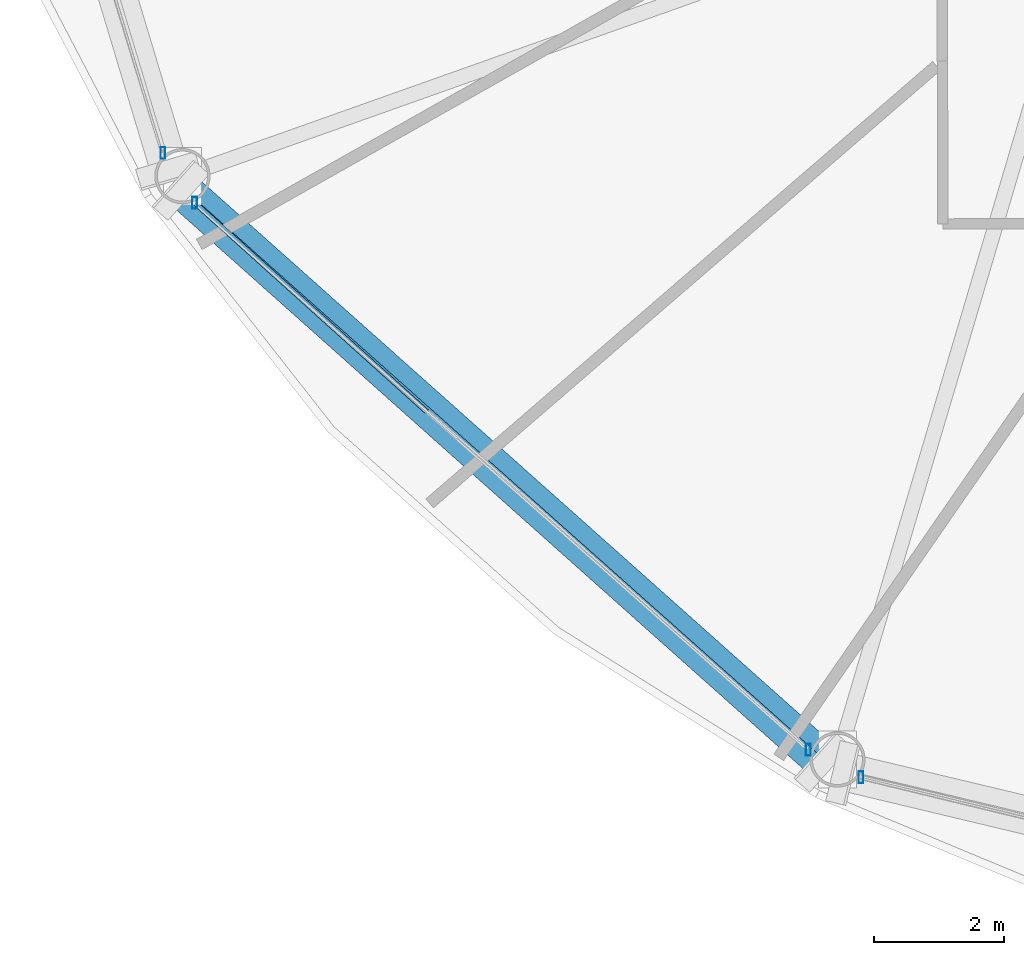
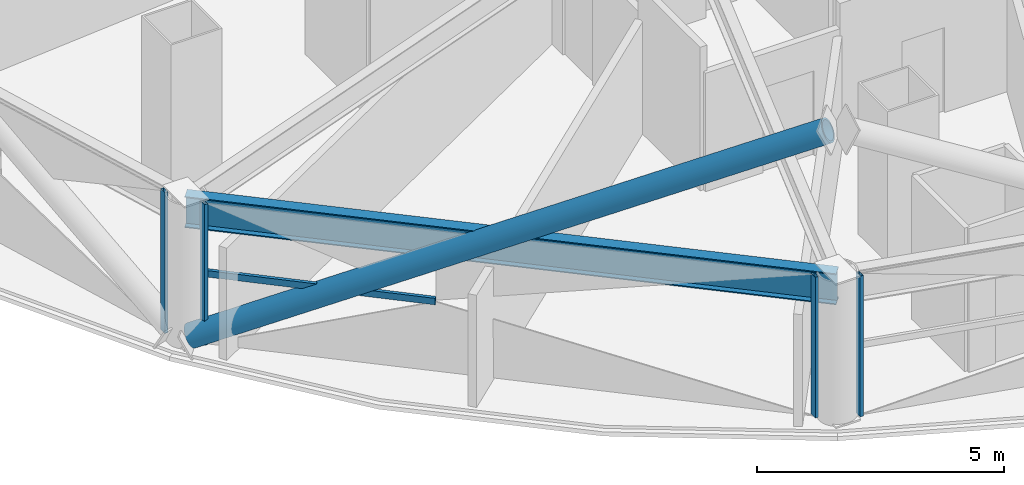
# One storey, part 2 of 30: 6 members, 1 beam, 3 elements without a shape of their own.
"""IFC4 building model written with IfcOpenShell, lengths in metres."""

import ifcopenshell
import ifcopenshell.guid

model = None  # the IFC model being written
_history = None  # IfcOwnerHistory: only IFC2X3 demands one
_inside = {}  # id of a spatial element -> (the spatial element, [elements in it])
_under = {}  # id of a project, library or spatial element -> (it, [spatial elements below it])
_declared = {}  # id of a project -> (the project, [libraries it declares])
_typed = {}  # id of a type object -> (the type object, [elements of that type])
_made_of = {}  # id of a material, layer set ... -> (it, [elements and type objects made of it])


def new_model(schema):
    """Start an empty IFC model of exactly this schema.

    Asked for "IFC4X3", IfcOpenShell would pick the latest addendum, in which some entities
    have other attributes; the version numbers below select the first issue.
    IFC2X3 requires an IfcOwnerHistory on every rooted entity: one is made here for all.
    """
    global model, _history
    if schema == "IFC4X3":
        model = ifcopenshell.file(schema_version=(4, 3, 0, 0))
    else:
        model = ifcopenshell.file(schema=schema)
    _inside.clear()
    _under.clear()
    _declared.clear()
    _typed.clear()
    _made_of.clear()
    _history = None
    if model.schema == "IFC2X3":
        org = make("IfcOrganization", Name="unknown")
        user = make(
            "IfcPersonAndOrganization",
            ThePerson=make("IfcPerson", FamilyName="unknown"),
            TheOrganization=org,
        )
        app = make(
            "IfcApplication",
            ApplicationDeveloper=org,
            Version="unknown",
            ApplicationFullName="unknown",
            ApplicationIdentifier="unknown",
        )
        _history = make(
            "IfcOwnerHistory",
            OwningUser=user,
            OwningApplication=app,
            ChangeAction="ADDED",
            CreationDate=0,
        )
    return model


def make(cls, **values):
    """One entity of the class cls with the attributes given. An attribute that is None is left unset."""
    return model.create_entity(
        cls, **{name: value for name, value in values.items() if value is not None}
    )


def rooted(cls, **values):
    """An entity with a GlobalId (a new one), such as an element, a storey or a relation."""
    return make(cls, GlobalId=ifcopenshell.guid.new(), OwnerHistory=_history, **values)


def si_unit(unit_type, name, prefix=None):
    """IfcSIUnit, for example si_unit("LENGTHUNIT", "METRE", prefix="MILLI")."""
    return make("IfcSIUnit", UnitType=unit_type, Prefix=prefix, Name=name)


def assignment(units):
    """IfcUnitAssignment: the units of a project."""
    return None if units is None else make("IfcUnitAssignment", Units=units)


def point(xyz):
    """IfcCartesianPoint."""
    return None if xyz is None else make("IfcCartesianPoint", Coordinates=xyz)


def direction(xyz):
    """IfcDirection."""
    return None if xyz is None else make("IfcDirection", DirectionRatios=xyz)


def frame(location, z_axis=None, x_axis=None):
    """IfcAxis2Placement3D, a coordinate frame: its origin and axes. An axis left out is left unset."""
    return make(
        "IfcAxis2Placement3D",
        Location=point(location),
        Axis=direction(z_axis),
        RefDirection=direction(x_axis),
    )


def frame_2d(location, x_axis=None):
    """IfcAxis2Placement2D, a coordinate frame in the plane: its origin and x axis."""
    return make(
        "IfcAxis2Placement2D", Location=point(location), RefDirection=direction(x_axis)
    )


def origin():
    """The frame at (0, 0, 0) with its axes left unset."""
    return frame((0.0, 0.0, 0.0))


def origin_2d():
    """The frame at (0, 0) in the plane with its x axis left unset."""
    return frame_2d((0.0, 0.0))


def place(relative_to, where):
    """IfcLocalPlacement: puts the frame where relative to a parent placement (None: the world)."""
    return make(
        "IfcLocalPlacement", PlacementRelTo=relative_to, RelativePlacement=where
    )


def context(
    kind, dimensions, precision=None, world=None, true_north=None, identifier=None
):
    """IfcGeometricRepresentationContext, for example the 3D "Model" context."""
    return make(
        "IfcGeometricRepresentationContext",
        ContextIdentifier=identifier,
        ContextType=kind,
        CoordinateSpaceDimension=dimensions,
        Precision=precision,
        WorldCoordinateSystem=world,
        TrueNorth=true_north,
    )


def subcontext(parent, identifier, kind, view, scale=None):
    """IfcGeometricRepresentationSubContext, for example "Body" below "Model"."""
    return make(
        "IfcGeometricRepresentationSubContext",
        ContextIdentifier=identifier,
        ContextType=kind,
        ParentContext=parent,
        TargetScale=scale,
        TargetView=view,
    )


def project(units=None, contexts=None):
    """IfcProject with its units and contexts."""
    return rooted(
        "IfcProject",
        Name="project",
        RepresentationContexts=contexts,
        UnitsInContext=assignment(units),
    )


def spatial(cls, under=None, at=None, **own):
    """A site, building, storey or space (cls), placed at a placement, below another one or the project."""
    s = rooted(cls, ObjectPlacement=at, **own)
    if under is not None:
        _under.setdefault(under.id(), (under, []))[1].append(s)
    return s


def profile(cls, at=None, kind="AREA", **sizes):
    """A parametric profile (cls). Its sizes go by their IFC names, for example OverallWidth=200.0."""
    return make(cls, ProfileType=kind, Position=at, **sizes)


def hollow_rectangle(**sizes):
    """IfcRectangleHollowProfileDef."""
    return profile("IfcRectangleHollowProfileDef", **sizes)


def hollow_circle(**sizes):
    """IfcCircleHollowProfileDef."""
    return profile("IfcCircleHollowProfileDef", **sizes)


def i_section(**sizes):
    """IfcIShapeProfileDef."""
    return profile("IfcIShapeProfileDef", **sizes)


def extrude(swept, where, along, depth):
    """IfcExtrudedAreaSolid: the profile swept, set in the frame where, extruded along a direction by depth."""
    return make(
        "IfcExtrudedAreaSolid",
        SweptArea=swept,
        Position=where,
        ExtrudedDirection=direction(along),
        Depth=depth,
    )


def shape(context_of_items, identifier, shape_type, items):
    """IfcShapeRepresentation: the items that make up one representation, for example the "Body"."""
    return make(
        "IfcShapeRepresentation",
        ContextOfItems=context_of_items,
        RepresentationIdentifier=identifier,
        RepresentationType=shape_type,
        Items=items,
    )


def material(Name=None, Category=None):
    """IfcMaterial."""
    return make("IfcMaterial", Name=Name, Category=Category)


def layer(
    of_material, thickness, ventilated=None, Name=None, Category=None, Priority=None
):
    """IfcMaterialLayer: one layer of a wall or slab, of a material (None: an air gap)."""
    return make(
        "IfcMaterialLayer",
        Material=of_material,
        LayerThickness=thickness,
        IsVentilated=ventilated,
        Name=Name,
        Category=Category,
        Priority=Priority,
    )


def layer_set(layers, Name=None):
    """IfcMaterialLayerSet."""
    return make("IfcMaterialLayerSet", MaterialLayers=layers, LayerSetName=Name)


def material_profile(
    of_material, cross_section, Name=None, Category=None, Priority=None
):
    """IfcMaterialProfile: a cross section and its material."""
    return make(
        "IfcMaterialProfile",
        Name=Name,
        Material=of_material,
        Profile=cross_section,
        Priority=Priority,
        Category=Category,
    )


def profile_set(profiles, Name=None, composite=None):
    """IfcMaterialProfileSet."""
    return make(
        "IfcMaterialProfileSet",
        Name=Name,
        MaterialProfiles=profiles,
        CompositeProfile=composite,
    )


def made_of(thing, what):
    """Note that an element or type object is made of a material, layer set ...; save() writes the relation."""
    if what is not None:
        _made_of.setdefault(what.id(), (what, []))[1].append(thing)
    return thing


def type_object(cls, material=None, **own):
    """A type object (cls), such as IfcWallType, which elements share."""
    return made_of(rooted(cls, **own), material)


def element(
    cls,
    number,
    at=None,
    inside=None,
    cuts=None,
    type_object=None,
    material=None,
    context=None,
    identifier="Body",
    shape_type=None,
    held_by="IfcProductDefinitionShape",
    body=None,
    shapes=None,
    **own,
):
    """One element of the class cls, such as IfcWall. Its Tag is "e" and its number.

    at: its placement. inside: the storey or other place that contains it. cuts: it is an
    opening in that element (IfcRelVoidsElement). A single representation is given by context,
    identifier, shape_type and body (its items); several are given by shapes. held_by: the class
    of the entity that holds the representations. save() writes the other relations.
    """
    e = rooted(cls, Tag="e%d" % number, ObjectPlacement=at, **own)
    if body is not None:
        shapes = [shape(context, identifier, shape_type, body)]
    if shapes is not None:
        e.Representation = make(held_by, Representations=shapes)
    if inside is not None:
        _inside.setdefault(inside.id(), (inside, []))[1].append(e)
    if cuts is not None:
        rooted(
            "IfcRelVoidsElement", RelatingBuildingElement=cuts, RelatedOpeningElement=e
        )
    if type_object is not None:
        _typed.setdefault(type_object.id(), (type_object, []))[1].append(e)
    return made_of(e, material)


def aggregate(whole, parts):
    """IfcRelAggregates: a whole, such as a stair, and the parts it consists of."""
    return rooted("IfcRelAggregates", RelatingObject=whole, RelatedObjects=parts)


def save(model, path):
    """Write the relations noted so far, then the file.

    IfcRelAggregates (storeys below a building ...), IfcRelContainedInSpatialStructure (elements
    in a storey), IfcRelDefinesByType, IfcRelAssociatesMaterial and IfcRelDeclares: one each for
    every whole, place, type object, material and project.
    """
    for whole, parts in _under.values():
        aggregate(whole, parts)
    for where, things in _inside.values():
        rooted(
            "IfcRelContainedInSpatialStructure",
            RelatedElements=things,
            RelatingStructure=where,
        )
    for kind, things in _typed.values():
        rooted("IfcRelDefinesByType", RelatedObjects=things, RelatingType=kind)
    for what, things in _made_of.values():
        rooted("IfcRelAssociatesMaterial", RelatedObjects=things, RelatingMaterial=what)
    for by, libraries in _declared.values():
        rooted("IfcRelDeclares", RelatingContext=by, RelatedDefinitions=libraries)
    model.write(path)


model = new_model("IFC4")

# Units and contexts
model_context = context("Model", 3, precision=1e-05, world=origin(), true_north=direction((0.0, 1.0)))
body_context = subcontext(model_context, "Body", "Model", "MODEL_VIEW")
ifc_project = project(units=[si_unit("LENGTHUNIT", "METRE"), si_unit("AREAUNIT", "SQUARE_METRE"), si_unit("VOLUMEUNIT", "CUBIC_METRE"), si_unit("PLANEANGLEUNIT", "RADIAN"), si_unit("MASSUNIT", "GRAM", prefix="KILO")], contexts=[model_context])

# Site, building, storey
site_placement = place(None, origin())
site = spatial("IfcSite", under=ifc_project, at=site_placement, CompositionType="ELEMENT")
building_placement = place(site_placement, origin())
building = spatial("IfcBuilding", under=site, at=building_placement, Name="Vantalir Tower", CompositionType="ELEMENT")
storey_placement = place(building_placement, frame((0.0, 0.0, 79.5)))
storey = spatial("IfcBuildingStorey", under=building, at=storey_placement, Name="L19", CompositionType="ELEMENT", Elevation=79.5)

# Beam
ifc_material_1 = material(Name="Steel S460", Category="steel")
ifc_material_profile_1 = material_profile(ifc_material_1, i_section(OverallWidth=0.26806640625, OverallDepth=0.77001953125, WebThickness=0.015625, FlangeThickness=0.025390625, at=origin_2d()), Name="Steel S460")
ifc_profile_set_1 = profile_set([ifc_material_profile_1], Name="Steel S460")
beam_type = type_object("IfcBeamType", Name="BM-RG-762x267", PredefinedType="USERDEFINED", material=ifc_profile_set_1)
beam_placement = place(storey_placement, frame((7.68408203125, 12.751953125, 3.18505859375), z_axis=(0.74676942142, -0.665083025819, 0.0), x_axis=(0.665083025819, 0.74676942142, 0.0)))
element("IfcBeam", 1, at=beam_placement, inside=storey, type_object=beam_type, Name="L19 Circumferential Ring Girder 08", ObjectType="GIRDER", PredefinedType="USERDEFINED", context=body_context, shape_type="SweptSolid", body=[
    extrude(i_section(OverallWidth=0.26806640625, OverallDepth=0.77001953125, WebThickness=0.015625, FlangeThickness=0.025390625, at=origin_2d()), origin(), (0.0, 0.0, 1.0), 13.479248046875),
])

# Curtain wall, member
ifc_material_2 = material(Name="Champagne-silver PVDF aluminium and double-silver Low-E glass", Category="aluminium")
ifc_layer = layer(ifc_material_2, 0.18994140625)
ifc_layer_set = layer_set([ifc_layer], Name="Champagne-silver PVDF aluminium and double-silver Low-E glass")
curtain_wall_type = type_object("IfcCurtainWallType", Name="CW-DIAMOND-Z1", PredefinedType="USERDEFINED", material=ifc_layer_set)
curtain_wall_1_placement = place(storey_placement, origin())
curtain_wall_1 = element("IfcCurtainWall", 2, at=curtain_wall_1_placement, inside=storey, type_object=curtain_wall_type, Name="L19 Quilted Pyramid-Diamond Curtain Wall S07", ObjectType="UNITISED CURTAIN WALL", PredefinedType="USERDEFINED")
ifc_material_3 = material(Name="Champagne-silver PVDF aluminium 6063-T6", Category="aluminium")
ifc_material_profile_2 = material_profile(ifc_material_3, hollow_rectangle(XDim=0.074951171875, YDim=0.179931640625, WallThickness=0.00390625, at=origin_2d()), Name="Champagne-silver PVDF aluminium 6063-T6")
ifc_profile_set_2 = profile_set([ifc_material_profile_2], Name="Champagne-silver PVDF aluminium 6063-T6")
member_type_1 = type_object("IfcMemberType", Name="CWM-180x75", PredefinedType="MULLION", material=ifc_profile_set_2)
member_1_placement = place(storey_placement, frame((7.385009765625, 13.10693359375, 0.044921875), z_axis=(0.0, 0.0, 1.0), x_axis=(1.0, 0.0, 0.0)))
member_1 = element("IfcMember", 3, at=member_1_placement, type_object=member_type_1, Name="CW-L19-S07 Mullion 2", PredefinedType="MULLION", context=body_context, shape_type="SweptSolid", body=[
    extrude(hollow_rectangle(XDim=0.074951171875, YDim=0.179931640625, WallThickness=0.00390625, at=origin_2d()), origin(), (0.0, 0.0, 1.0), 3.47998046875),
])
aggregate(curtain_wall_1, [member_1])

# Curtain wall, members
curtain_wall_2_placement = place(storey_placement, origin())
curtain_wall_2 = element("IfcCurtainWall", 4, at=curtain_wall_2_placement, inside=storey, type_object=curtain_wall_type, Name="L19 Quilted Pyramid-Diamond Curtain Wall S08", ObjectType="UNITISED CURTAIN WALL", PredefinedType="USERDEFINED")
member_2_placement = place(storey_placement, frame((7.87109375, 12.343994140625, 0.044921875), z_axis=(0.0, 0.0, 1.0), x_axis=(1.0, 0.0, 0.0)))
member_2 = element("IfcMember", 5, at=member_2_placement, type_object=member_type_1, Name="CW-L19-S08 Mullion 1", PredefinedType="MULLION", context=body_context, shape_type="SweptSolid", body=[
    extrude(hollow_rectangle(XDim=0.074951171875, YDim=0.179931640625, WallThickness=0.00390625, at=origin_2d()), origin(), (0.0, 0.0, 1.0), 3.47998046875),
])
member_3_placement = place(storey_placement, frame((17.303955078125, 3.93505859375, 0.044921875), z_axis=(0.0, 0.0, 1.0), x_axis=(1.0, 0.0, 0.0)))
member_3 = element("IfcMember", 6, at=member_3_placement, type_object=member_type_1, Name="CW-L19-S08 Mullion 2", PredefinedType="MULLION", context=body_context, shape_type="SweptSolid", body=[
    extrude(hollow_rectangle(XDim=0.074951171875, YDim=0.179931640625, WallThickness=0.00390625, at=origin_2d()), origin(), (0.0, 0.0, 1.0), 3.47998046875),
])

# Curtain wall, member
curtain_wall_3_placement = place(storey_placement, origin())
curtain_wall_3 = element("IfcCurtainWall", 7, at=curtain_wall_3_placement, inside=storey, type_object=curtain_wall_type, Name="L19 Quilted Pyramid-Diamond Curtain Wall S09", ObjectType="UNITISED CURTAIN WALL", PredefinedType="USERDEFINED")
member_4_placement = place(storey_placement, frame((18.112060546875, 3.512939453125, 0.044921875), z_axis=(0.0, 0.0, 1.0), x_axis=(1.0, 0.0, 0.0)))
member_4 = element("IfcMember", 8, at=member_4_placement, type_object=member_type_1, Name="CW-L19-S09 Mullion 1", PredefinedType="MULLION", context=body_context, shape_type="SweptSolid", body=[
    extrude(hollow_rectangle(XDim=0.074951171875, YDim=0.179931640625, WallThickness=0.00390625, at=origin_2d()), origin(), (0.0, 0.0, 1.0), 3.47998046875),
])
aggregate(curtain_wall_3, [member_4])

# Member
ifc_material_profile_3 = material_profile(ifc_material_3, hollow_rectangle(XDim=0.074951171875, YDim=0.159912109375, WallThickness=0.00390625, at=origin_2d()), Name="Champagne-silver PVDF aluminium 6063-T6")
ifc_profile_set_3 = profile_set([ifc_material_profile_3], Name="Champagne-silver PVDF aluminium 6063-T6")
member_type_2 = type_object("IfcMemberType", Name="CWT-160x75", PredefinedType="USERDEFINED", material=ifc_profile_set_3)
member_5_placement = place(storey_placement, frame((7.87109375, 12.343994140625, 1.784912109375), z_axis=(0.743228357444, -0.669037823064, 0.0), x_axis=(0.669037823064, 0.743228357444, 0.0)))
member_5 = element("IfcMember", 9, at=member_5_placement, type_object=member_type_2, Name="CW-L19-S08 Pyramid Fold Ridge Transom", ObjectType="TRANSOM", PredefinedType="USERDEFINED", context=body_context, shape_type="SweptSolid", body=[
    extrude(hollow_rectangle(XDim=0.074951171875, YDim=0.159912109375, WallThickness=0.00390625, at=origin_2d()), origin(), (0.0, 0.0, 1.0), 4.7978515625),
])

aggregate(curtain_wall_2, [member_2, member_3, member_5])

ifc_material_profile_4 = material_profile(ifc_material_1, hollow_circle(Radius=0.27001953125, WallThickness=0.044921875, at=origin_2d()), Name="Steel S460")
ifc_profile_set_4 = profile_set([ifc_material_profile_4], Name="Steel S460")
member_type_3 = type_object("IfcMemberType", Name="MEM-DB-540x45", PredefinedType="BRACE", material=ifc_profile_set_4)
member_6_placement = place(storey_placement, frame((7.6650390625, 12.528076171875, 0.18310546875), z_axis=(0.660279834945, -0.588660144975, 0.466379430595), x_axis=(0.665464928462, 0.746429118529, 0.0)))
element("IfcMember", 10, at=member_6_placement, inside=storey, type_object=member_type_3, Name="L19 Perimeter S460 Diagrid Brace R22L", PredefinedType="BRACE", context=body_context, shape_type="SweptSolid", body=[
    extrude(hollow_circle(Radius=0.27001953125, WallThickness=0.044921875, at=origin_2d()), origin(), (0.0, 0.0, 1.0), 14.910400390625),
])

save(model, "model.ifc")
